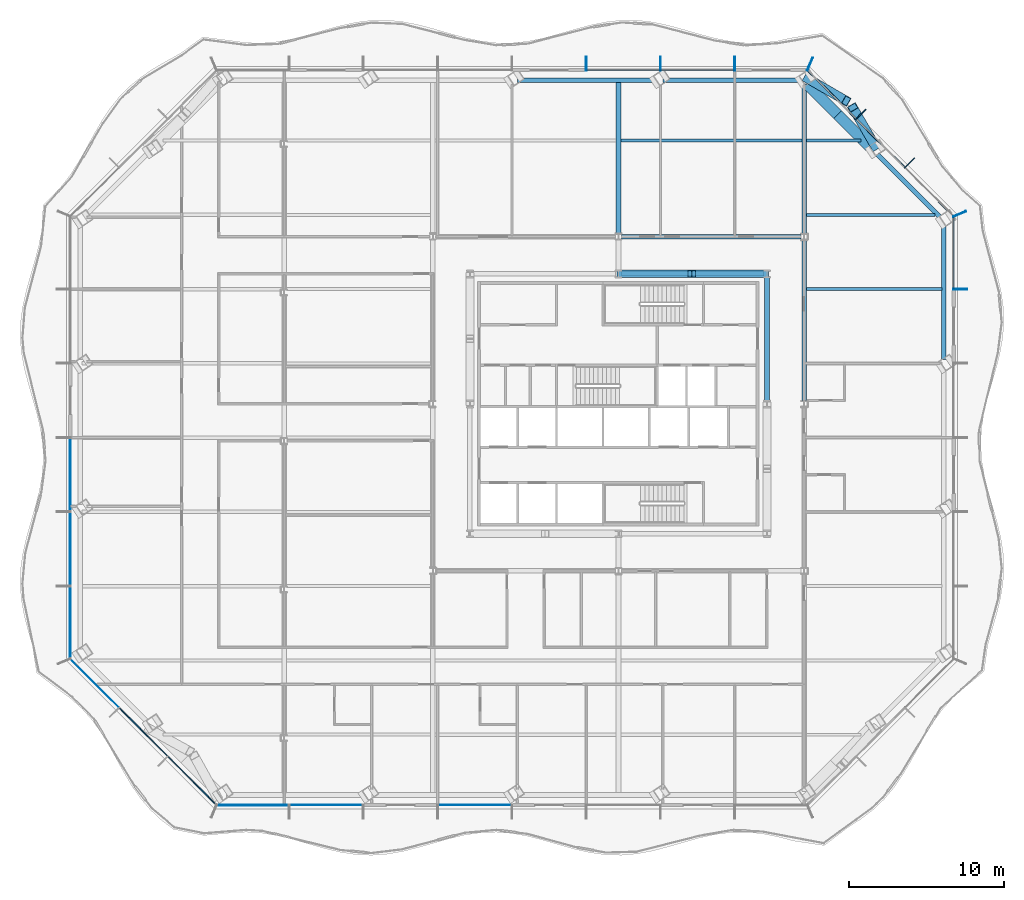
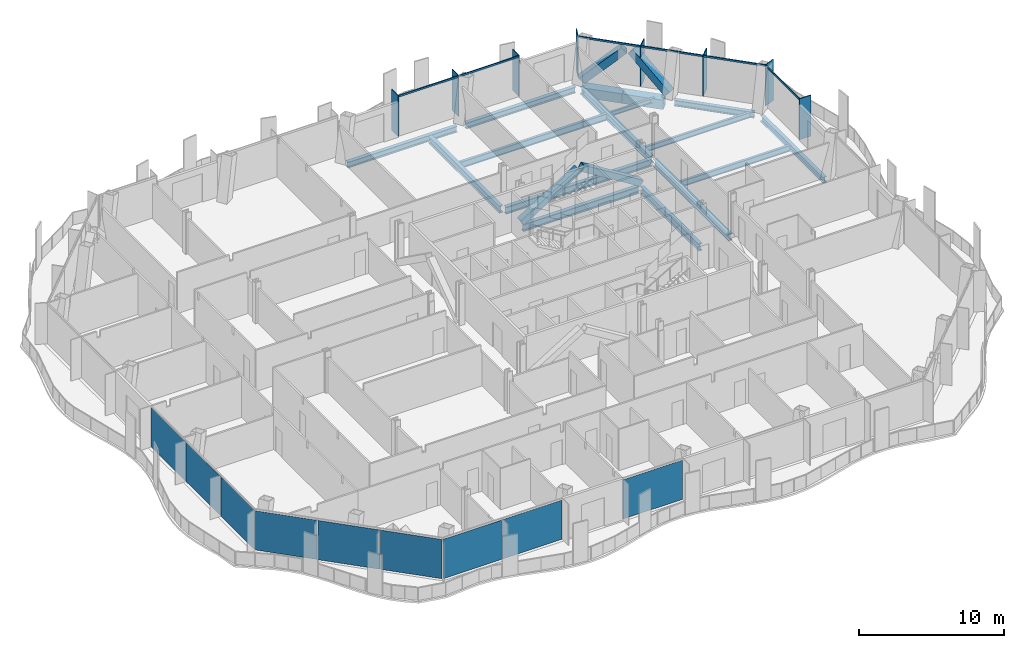
# One storey, part 4 of 19: 18 members, 16 beams, 9 plates, 6 elements without a shape of their own.
"""IFC4 building model written with IfcOpenShell, lengths in metres."""

from ifc_helpers import new_model, si_unit, direction, frame, origin, origin_2d, place, context, subcontext, project, spatial, rectangle, hollow_rectangle, i_section, extrude, material, layer, layer_set, material_profile, profile_set, type_object, element, aggregate, save


model = new_model("IFC4")

# Units and contexts
model_context = context("Model", 3, precision=1e-05, world=origin(), true_north=direction((0.0, 1.0)))
body_context = subcontext(model_context, "Body", "Model", "MODEL_VIEW")
ifc_project = project(units=[si_unit("LENGTHUNIT", "METRE"), si_unit("AREAUNIT", "SQUARE_METRE"), si_unit("VOLUMEUNIT", "CUBIC_METRE"), si_unit("PLANEANGLEUNIT", "RADIAN"), si_unit("MASSUNIT", "GRAM", prefix="KILO")], contexts=[model_context])

# Site, building, storey
site_placement = place(None, origin())
site = spatial("IfcSite", under=ifc_project, at=site_placement, CompositionType="ELEMENT")
building_placement = place(site_placement, origin())
building = spatial("IfcBuilding", under=site, at=building_placement, Name="Cairn Pilgrim Tower", CompositionType="ELEMENT")
storey_placement = place(building_placement, frame((0.0, 0.0, 90.60009765625)))
storey = spatial("IfcBuildingStorey", under=building, at=storey_placement, Name="L21", CompositionType="ELEMENT", Elevation=90.60009765625)

# Members
ifc_material_1 = material(Name="Structural steel S460M", Category="steel")
ifc_material_profile_1 = material_profile(ifc_material_1, hollow_rectangle(XDim=0.5, YDim=0.5, WallThickness=0.030029296875, at=origin_2d()), Name="BOX 500x500x30")
ifc_profile_set_1 = profile_set([ifc_material_profile_1], Name="Structural steel S460M")
member_type_1 = type_object("IfcMemberType", Name="BOX 500x500x30 BRACE", PredefinedType="BRACE", material=ifc_profile_set_1)
member_1_placement = place(storey_placement, frame((16.75634765625, 10.800048828125, 0.099853515625), z_axis=(-0.851002408489, 0.0, 0.525161785305), x_axis=(0.0, -1.0, 0.0)))
element("IfcMember", 1, at=member_1_placement, inside=storey, type_object=member_type_1, Name="KB-3A", PredefinedType="BRACE", context=body_context, shape_type="SweptSolid", body=[
    extrude(hollow_rectangle(XDim=0.5, YDim=0.5, WallThickness=0.030029296875, at=origin_2d()), origin(), (0.0, 0.0, 1.0), 5.526611328125),
])
member_2_placement = place(storey_placement, frame((7.24365234375, 10.800048828125, 0.099853515625), z_axis=(0.851007515624, 0.0, 0.525153509321), x_axis=(0.0, 1.0, 0.0)))
element("IfcMember", 2, at=member_2_placement, inside=storey, type_object=member_type_1, Name="KB-3B", PredefinedType="BRACE", context=body_context, shape_type="SweptSolid", body=[
    extrude(hollow_rectangle(XDim=0.5, YDim=0.5, WallThickness=0.030029296875, at=origin_2d()), origin(), (0.0, 0.0, 1.0), 5.37646484375),
])
ifc_material_profile_2 = material_profile(ifc_material_1, hollow_rectangle(XDim=0.60009765625, YDim=0.60009765625, WallThickness=0.034912109375, at=origin_2d()), Name="BOX 600x600x35")
ifc_profile_set_2 = profile_set([ifc_material_profile_2], Name="Structural steel S460M")
member_type_2 = type_object("IfcMemberType", Name="BOX 600x600x35 BRACE", PredefinedType="BRACE", material=ifc_profile_set_2)
for number, where, z_axis, x_axis, name in (
    (3, (23.81494140625, 19.021240234375, 0.14990234375), (-0.375741407205, 0.647814929069, 0.662687115151), (-0.865026119361, -0.501726830878, 0.0), "XB-NE2-N1-1"),
    (4, (19.3916015625, 23.444580078125, 0.14990234375), (0.647814929069, -0.375741407205, 0.662687115151), (0.501726830878, 0.865026119361, 0.0), "XB-NE2-N1-2"),
):
    element("IfcMember", number, at=place(storey_placement, frame(where, z_axis=z_axis, x_axis=x_axis)), inside=storey, type_object=member_type_2, Name=name, PredefinedType="BRACE", context=body_context, shape_type="SweptSolid", body=[
        extrude(hollow_rectangle(XDim=0.60009765625, YDim=0.60009765625, WallThickness=0.034912109375, at=origin_2d()), origin(), (0.0, 0.0, 1.0), 3.906982421875),
    ])

# Beams
ifc_material_2 = material(Name="Structural steel S355J2", Category="steel")
ifc_material_profile_3 = material_profile(ifc_material_2, hollow_rectangle(XDim=0.699951171875, YDim=0.800048828125, WallThickness=0.0400390625, at=origin_2d()), Name="BOX 700x800x40")
ifc_profile_set_3 = profile_set([ifc_material_profile_3], Name="Structural steel S355J2")
beam_type_1 = type_object("IfcBeamType", Name="BOX 700x800x40 RING GIRDER", PredefinedType="SPANDREL", material=ifc_profile_set_3)
beam_1_placement = place(storey_placement, frame((23.429443359375, 19.03173828125, -0.550048828125), z_axis=(-0.707065020857, 0.70714853905, 0.0), x_axis=(-0.70714853905, -0.707065020857, 0.0)))
element("IfcBeam", 5, at=beam_1_placement, inside=storey, type_object=beam_type_1, Name="RG1-NE2-N1-1", PredefinedType="SPANDREL", context=body_context, shape_type="SweptSolid", body=[
    extrude(hollow_rectangle(XDim=0.699951171875, YDim=0.800048828125, WallThickness=0.0400390625, at=origin_2d()), origin(), (0.0, 0.0, 1.0), 2.923095703125),
])
beam_2_placement = place(storey_placement, frame((21.362548828125, 21.098876953125, -0.550048828125), z_axis=(-0.707106781187, 0.707106781187, 0.0), x_axis=(-0.707106781187, -0.707106781187, 0.0)))
element("IfcBeam", 6, at=beam_2_placement, inside=storey, type_object=beam_type_1, Name="RG1-NE2-N1-2", PredefinedType="SPANDREL", context=body_context, shape_type="SweptSolid", body=[
    extrude(hollow_rectangle(XDim=0.699951171875, YDim=0.800048828125, WallThickness=0.0400390625, at=origin_2d()), origin(), (0.0, 0.0, 1.0), 2.772216796875),
])

# Curtain wall, member
ifc_material_3 = material(Name="Aluminium alloy 6063-T6 bronze anodised with Bronze tinted laminated low-E glass 8+16+8.8", Category="aluminium")
curtain_wall_type_1 = type_object("IfcCurtainWallType", Name="TOWER STICK CURTAIN WALL EW", PredefinedType="NOTDEFINED", material=ifc_material_3)
curtain_wall_1_placement = place(storey_placement, origin())
curtain_wall_1 = element("IfcCurtainWall", 7, at=curtain_wall_1_placement, inside=storey, type_object=curtain_wall_type_1, Name="Tower Stick Curtain Wall Ew E", PredefinedType="NOTDEFINED")
ifc_material_4 = material(Name="Aluminium alloy 6063-T6 bronze anodised", Category="aluminium")
ifc_material_profile_4 = material_profile(ifc_material_4, rectangle(XDim=0.89990234375, YDim=0.06005859375, at=origin_2d()), Name="FIN MULLION 60x900 BRONZE")
ifc_profile_set_4 = profile_set([ifc_material_profile_4], Name="Aluminium alloy 6063-T6 bronze anodised")
member_type_3 = type_object("IfcMemberType", Name="FIN MULLION 60x900 BRONZE", PredefinedType="MULLION", material=ifc_profile_set_4)
member_3_placement = place(storey_placement, frame((29.29052734375, 9.813720703125, 0.0), z_axis=(0.0, 0.0, 1.0), x_axis=(1.0, 0.0, 0.0)))
member_3 = element("IfcMember", 8, at=member_3_placement, type_object=member_type_3, Name="Fin mullion E6", PredefinedType="MULLION", context=body_context, shape_type="SweptSolid", body=[
    extrude(rectangle(XDim=0.89990234375, YDim=0.06005859375, at=origin_2d()), origin(), (0.0, 0.0, 1.0), 3.449951171875),
])

# Curtain wall, members
curtain_wall_type_2 = type_object("IfcCurtainWallType", Name="CHAMFER CORNER CURTAIN WALL", PredefinedType="NOTDEFINED", material=ifc_material_3)
curtain_wall_2_placement = place(storey_placement, origin())
curtain_wall_2 = element("IfcCurtainWall", 9, at=curtain_wall_2_placement, inside=storey, type_object=curtain_wall_type_2, Name="Chamfer Corner Curtain Wall NE", PredefinedType="NOTDEFINED")
member_4_placement = place(storey_placement, frame((29.258544921875, 14.6708984375, 0.0), z_axis=(0.0, 0.0, 1.0), x_axis=(0.923879532511, 0.382683432365, 0.0)))
member_4 = element("IfcMember", 10, at=member_4_placement, type_object=member_type_3, Name="Fin mullion NE1", PredefinedType="MULLION", context=body_context, shape_type="SweptSolid", body=[
    extrude(rectangle(XDim=0.89990234375, YDim=0.06005859375, at=origin_2d()), origin(), (0.0, 0.0, 1.0), 3.449951171875),
])
member_5_placement = place(storey_placement, frame((26.016357421875, 17.958251953125, 0.0), z_axis=(0.0, 0.0, 1.0), x_axis=(0.707106781187, 0.707106781187, 0.0)))
member_5 = element("IfcMember", 11, at=member_5_placement, type_object=member_type_3, Name="Fin mullion NE2", PredefinedType="MULLION", context=body_context, shape_type="SweptSolid", body=[
    extrude(rectangle(XDim=0.89990234375, YDim=0.06005859375, at=origin_2d()), origin(), (0.0, 0.0, 1.0), 3.449951171875),
])
member_6_placement = place(storey_placement, frame((22.864990234375, 21.109375, 0.0), z_axis=(0.0, 0.0, 1.0), x_axis=(0.707106781187, 0.707106781187, 0.0)))
member_6 = element("IfcMember", 12, at=member_6_placement, type_object=member_type_3, Name="Fin mullion NE3", PredefinedType="MULLION", context=body_context, shape_type="SweptSolid", body=[
    extrude(rectangle(XDim=0.89990234375, YDim=0.06005859375, at=origin_2d()), origin(), (0.0, 0.0, 1.0), 3.449951171875),
])

curtain_wall_type_3 = type_object("IfcCurtainWallType", Name="TOWER STICK CURTAIN WALL NS", PredefinedType="NOTDEFINED", material=ifc_material_3)
curtain_wall_3_placement = place(storey_placement, origin())
curtain_wall_3 = element("IfcCurtainWall", 13, at=curtain_wall_3_placement, inside=storey, type_object=curtain_wall_type_3, Name="Tower Stick Curtain Wall Ns N", PredefinedType="NOTDEFINED")
member_7_placement = place(storey_placement, frame((19.57763671875, 24.351806640625, 0.0), z_axis=(0.0, 0.0, 1.0), x_axis=(0.382683432365, 0.923879532511, 0.0)))
member_7 = element("IfcMember", 14, at=member_7_placement, type_object=member_type_3, Name="Fin mullion N1", PredefinedType="MULLION", context=body_context, shape_type="SweptSolid", body=[
    extrude(rectangle(XDim=0.89990234375, YDim=0.06005859375, at=origin_2d()), origin(), (0.0, 0.0, 1.0), 3.449951171875),
])
member_8_placement = place(storey_placement, frame((14.720458984375, 24.383544921875, 0.0), z_axis=(0.0, 0.0, 1.0), x_axis=(0.0, 1.0, 0.0)))
member_8 = element("IfcMember", 15, at=member_8_placement, type_object=member_type_3, Name="Fin mullion N2", PredefinedType="MULLION", context=body_context, shape_type="SweptSolid", body=[
    extrude(rectangle(XDim=0.89990234375, YDim=0.06005859375, at=origin_2d()), origin(), (0.0, 0.0, 1.0), 3.449951171875),
])
member_9_placement = place(storey_placement, frame((9.92041015625, 24.383544921875, 0.0), z_axis=(0.0, 0.0, 1.0), x_axis=(0.0, 1.0, 0.0)))
member_9 = element("IfcMember", 16, at=member_9_placement, type_object=member_type_3, Name="Fin mullion N3", PredefinedType="MULLION", context=body_context, shape_type="SweptSolid", body=[
    extrude(rectangle(XDim=0.89990234375, YDim=0.06005859375, at=origin_2d()), origin(), (0.0, 0.0, 1.0), 3.449951171875),
])
member_10_placement = place(storey_placement, frame((5.12060546875, 24.383544921875, 0.0), z_axis=(0.0, 0.0, 1.0), x_axis=(0.0, 1.0, 0.0)))
member_10 = element("IfcMember", 17, at=member_10_placement, type_object=member_type_3, Name="Fin mullion N4", PredefinedType="MULLION", context=body_context, shape_type="SweptSolid", body=[
    extrude(rectangle(XDim=0.89990234375, YDim=0.06005859375, at=origin_2d()), origin(), (0.0, 0.0, 1.0), 3.449951171875),
])

# Beams
ifc_material_profile_5 = material_profile(ifc_material_2, i_section(OverallWidth=0.300048828125, OverallDepth=0.5, WebThickness=0.014404296875, FlangeThickness=0.028076171875, FilletRadius=0.027099609375, at=origin_2d()), Name="HEB 500")
ifc_profile_set_5 = profile_set([ifc_material_profile_5], Name="Structural steel S355J2")
beam_type_2 = type_object("IfcBeamType", Name="HEB 500 RING GIRDER", PredefinedType="SPANDREL", material=ifc_profile_set_5)
beam_3_placement = place(storey_placement, frame((28.220458984375, 5.24951171875, -0.400146484375), z_axis=(0.0, 1.0, 0.0), x_axis=(-1.0, 0.0, 0.0)))
element("IfcBeam", 18, at=beam_3_placement, inside=storey, type_object=beam_type_2, Name="RG1-E3-NE1", PredefinedType="SPANDREL", context=body_context, shape_type="SweptSolid", body=[
    extrude(i_section(OverallWidth=0.300048828125, OverallDepth=0.5, WebThickness=0.014404296875, FlangeThickness=0.028076171875, FilletRadius=0.027099609375, at=origin_2d()), origin(), (0.0, 0.0, 1.0), 8.63134765625),
])
beam_4_placement = place(storey_placement, frame((27.9658203125, 14.495361328125, -0.400146484375), z_axis=(-0.707085347538, 0.707128214185, 0.0), x_axis=(-0.707128214185, -0.707085347538, 0.0)))
element("IfcBeam", 19, at=beam_4_placement, inside=storey, type_object=beam_type_2, Name="RG1-NE1-NE2", PredefinedType="SPANDREL", context=body_context, shape_type="SweptSolid", body=[
    extrude(i_section(OverallWidth=0.300048828125, OverallDepth=0.5, WebThickness=0.014404296875, FlangeThickness=0.028076171875, FilletRadius=0.027099609375, at=origin_2d()), origin(), (0.0, 0.0, 1.0), 5.6953125),
])
for number, where, z_axis, x_axis, name in (
    (20, (18.78759765625, 23.313720703125, -0.400146484375), (-1.0, 0.0, 0.0), (0.0, -1.0, 0.0), "RG1-N1-N2"),
    (21, (9.3740234375, 23.313720703125, -0.400146484375), (-1.0, 0.0, 0.0), (0.0, -1.0, 0.0), "RG1-N2-N3"),
):
    element("IfcBeam", number, at=place(storey_placement, frame(where, z_axis=z_axis, x_axis=x_axis)), inside=storey, type_object=beam_type_2, Name=name, PredefinedType="SPANDREL", context=body_context, shape_type="SweptSolid", body=[
        extrude(i_section(OverallWidth=0.300048828125, OverallDepth=0.5, WebThickness=0.014404296875, FlangeThickness=0.028076171875, FilletRadius=0.027099609375, at=origin_2d()), origin(), (0.0, 0.0, 1.0), 8.693603515625),
    ])
ifc_material_profile_6 = material_profile(ifc_material_2, i_section(OverallWidth=0.300048828125, OverallDepth=0.60009765625, WebThickness=0.015380859375, FlangeThickness=0.030029296875, FilletRadius=0.027099609375, at=origin_2d()), Name="HEB 600")
ifc_profile_set_6 = profile_set([ifc_material_profile_6], Name="Structural steel S355J2")
beam_type_3 = type_object("IfcBeamType", Name="HEB 600 CORE BEAM", PredefinedType="BEAM", material=ifc_profile_set_6)
beam_5_placement = place(storey_placement, frame((16.800048828125, 2.5966796875, -0.4501953125), z_axis=(0.0, 1.0, 0.0), x_axis=(-1.0, 0.0, 0.0)))
element("IfcBeam", 22, at=beam_5_placement, inside=storey, type_object=beam_type_3, Name="CB-4", PredefinedType="BEAM", context=body_context, shape_type="SweptSolid", body=[
    extrude(i_section(OverallWidth=0.300048828125, OverallDepth=0.60009765625, WebThickness=0.015380859375, FlangeThickness=0.030029296875, FilletRadius=0.027099609375, at=origin_2d()), origin(), (0.0, 0.0, 1.0), 8.0068359375),
])
beam_6_placement = place(storey_placement, frame((16.603271484375, 10.800048828125, -0.4501953125), z_axis=(-1.0, 0.0, 0.0), x_axis=(0.0, -1.0, 0.0)))
element("IfcBeam", 23, at=beam_6_placement, inside=storey, type_object=beam_type_3, Name="CB-5", PredefinedType="BEAM", context=body_context, shape_type="SweptSolid", body=[
    extrude(i_section(OverallWidth=0.300048828125, OverallDepth=0.60009765625, WebThickness=0.015380859375, FlangeThickness=0.030029296875, FilletRadius=0.027099609375, at=origin_2d()), origin(), (0.0, 0.0, 1.0), 9.20654296875),
])
ifc_material_profile_7 = material_profile(ifc_material_2, i_section(OverallWidth=0.300048828125, OverallDepth=0.60009765625, WebThickness=0.015380859375, FlangeThickness=0.030029296875, FilletRadius=0.027099609375, at=origin_2d()), Name="HEB 600")
ifc_profile_set_7 = profile_set([ifc_material_profile_7], Name="Structural steel S355J2")
beam_type_4 = type_object("IfcBeamType", Name="HEB 600 GIRDER", PredefinedType="BEAM", material=ifc_profile_set_7)
beam_7_placement = place(storey_placement, frame((7.199951171875, 13.404541015625, -0.4501953125), z_axis=(0.0, 1.0, 0.0), x_axis=(-1.0, 0.0, 0.0)))
element("IfcBeam", 24, at=beam_7_placement, inside=storey, type_object=beam_type_4, Name="PG3-2", PredefinedType="BEAM", context=body_context, shape_type="SweptSolid", body=[
    extrude(i_section(OverallWidth=0.300048828125, OverallDepth=0.60009765625, WebThickness=0.015380859375, FlangeThickness=0.030029296875, FilletRadius=0.027099609375, at=origin_2d()), origin(), (0.0, 0.0, 1.0), 9.7890625),
])
beam_8_placement = place(storey_placement, frame((19.199951171875, 2.6044921875, -0.4501953125), z_axis=(0.0, 1.0, 0.0), x_axis=(-1.0, 0.0, 0.0)))
element("IfcBeam", 25, at=beam_8_placement, inside=storey, type_object=beam_type_4, Name="PG4-3", PredefinedType="BEAM", context=body_context, shape_type="SweptSolid", body=[
    extrude(i_section(OverallWidth=0.300048828125, OverallDepth=0.60009765625, WebThickness=0.015380859375, FlangeThickness=0.030029296875, FilletRadius=0.027099609375, at=origin_2d()), origin(), (0.0, 0.0, 1.0), 10.39111328125),
])
beam_9_placement = place(storey_placement, frame((19.199951171875, 13.404541015625, -0.4501953125), z_axis=(0.0, 1.0, 0.0), x_axis=(-1.0, 0.0, 0.0)))
element("IfcBeam", 26, at=beam_9_placement, inside=storey, type_object=beam_type_4, Name="PG4-4", PredefinedType="BEAM", context=body_context, shape_type="SweptSolid", body=[
    extrude(i_section(OverallWidth=0.300048828125, OverallDepth=0.60009765625, WebThickness=0.015380859375, FlangeThickness=0.030029296875, FilletRadius=0.027099609375, at=origin_2d()), origin(), (0.0, 0.0, 1.0), 9.674560546875),
])
ifc_material_profile_8 = material_profile(ifc_material_2, i_section(OverallWidth=0.300048828125, OverallDepth=0.60009765625, WebThickness=0.015380859375, FlangeThickness=0.030029296875, FilletRadius=0.027099609375, at=origin_2d()), Name="HEB 600")
ifc_profile_set_8 = profile_set([ifc_material_profile_8], Name="Structural steel S355J2")
beam_type_5 = type_object("IfcBeamType", Name="HEB 600 INNER GIRDER", PredefinedType="BEAM", material=ifc_profile_set_8)
beam_10_placement = place(storey_placement, frame((7.404541015625, 13.199951171875, -0.4501953125), z_axis=(1.0, 0.0, 0.0), x_axis=(0.0, 1.0, 0.0)))
element("IfcBeam", 27, at=beam_10_placement, inside=storey, type_object=beam_type_5, Name="IG2-2", PredefinedType="BEAM", context=body_context, shape_type="SweptSolid", body=[
    extrude(i_section(OverallWidth=0.300048828125, OverallDepth=0.60009765625, WebThickness=0.015380859375, FlangeThickness=0.030029296875, FilletRadius=0.027099609375, at=origin_2d()), origin(), (0.0, 0.0, 1.0), 11.591064453125),
])
ifc_material_profile_9 = material_profile(ifc_material_2, i_section(OverallWidth=0.169921875, OverallDepth=0.360107421875, WebThickness=0.008056640625, FlangeThickness=0.0126953125, FilletRadius=0.01806640625, at=origin_2d()), Name="IPE 360")
ifc_profile_set_9 = profile_set([ifc_material_profile_9], Name="Structural steel S355J2")
beam_type_6 = type_object("IfcBeamType", Name="IPE 360 SECONDARY BEAM", PredefinedType="JOIST", material=ifc_profile_set_9)
beam_11_placement = place(storey_placement, frame((19.35009765625, 19.413818359375, -0.330078125), z_axis=(1.0, 0.0, 0.0), x_axis=(0.0, 1.0, 0.0)))
element("IfcBeam", 28, at=beam_11_placement, inside=storey, type_object=beam_type_6, Name="SB9-5", PredefinedType="JOIST", context=body_context, shape_type="SweptSolid", body=[
    extrude(i_section(OverallWidth=0.169921875, OverallDepth=0.360107421875, WebThickness=0.008056640625, FlangeThickness=0.0126953125, FilletRadius=0.01806640625, at=origin_2d()), origin(), (0.0, 0.0, 1.0), 3.515380859375),
])
ifc_material_profile_10 = material_profile(ifc_material_2, i_section(OverallWidth=0.18994140625, OverallDepth=0.449951171875, WebThickness=0.009521484375, FlangeThickness=0.0146484375, FilletRadius=0.02099609375, at=origin_2d()), Name="IPE 450")
ifc_profile_set_10 = profile_set([ifc_material_profile_10], Name="Structural steel S355J2")
beam_type_7 = type_object("IfcBeamType", Name="IPE 450 SECONDARY BEAM", PredefinedType="JOIST", material=ifc_profile_set_10)
beam_12_placement = place(storey_placement, frame((19.35009765625, 14.61376953125, -0.375), z_axis=(1.0, 0.0, 0.0), x_axis=(0.0, 1.0, 0.0)))
element("IfcBeam", 29, at=beam_12_placement, inside=storey, type_object=beam_type_7, Name="SB8-3", PredefinedType="JOIST", context=body_context, shape_type="SweptSolid", body=[
    extrude(i_section(OverallWidth=0.18994140625, OverallDepth=0.449951171875, WebThickness=0.009521484375, FlangeThickness=0.0146484375, FilletRadius=0.02099609375, at=origin_2d()), origin(), (0.0, 0.0, 1.0), 8.3154296875),
])
ifc_material_profile_11 = material_profile(ifc_material_2, i_section(OverallWidth=0.199951171875, OverallDepth=0.5, WebThickness=0.01025390625, FlangeThickness=0.01611328125, FilletRadius=0.02099609375, at=origin_2d()), Name="IPE 500")
ifc_profile_set_11 = profile_set([ifc_material_profile_11], Name="Structural steel S355J2")
beam_type_8 = type_object("IfcBeamType", Name="IPE 500 SECONDARY BEAM", PredefinedType="JOIST", material=ifc_profile_set_11)
beam_13_placement = place(storey_placement, frame((19.35009765625, 9.813720703125, -0.400146484375), z_axis=(1.0, 0.0, 0.0), x_axis=(0.0, 1.0, 0.0)))
element("IfcBeam", 30, at=beam_13_placement, inside=storey, type_object=beam_type_8, Name="SB7-3", PredefinedType="JOIST", context=body_context, shape_type="SweptSolid", body=[
    extrude(i_section(OverallWidth=0.199951171875, OverallDepth=0.5, WebThickness=0.01025390625, FlangeThickness=0.01611328125, FilletRadius=0.02099609375, at=origin_2d()), origin(), (0.0, 0.0, 1.0), 8.75048828125),
])
ifc_material_profile_12 = material_profile(ifc_material_2, i_section(OverallWidth=0.2099609375, OverallDepth=0.550048828125, WebThickness=0.010986328125, FlangeThickness=0.01708984375, FilletRadius=0.02392578125, at=origin_2d()), Name="IPE 550")
ifc_profile_set_12 = profile_set([ifc_material_profile_12], Name="Structural steel S355J2")
beam_type_9 = type_object("IfcBeamType", Name="IPE 550 SECONDARY BEAM", PredefinedType="JOIST", material=ifc_profile_set_12)
beam_14_placement = place(storey_placement, frame((7.35009765625, 19.413818359375, -0.425048828125), z_axis=(1.0, 0.0, 0.0), x_axis=(0.0, 1.0, 0.0)))
element("IfcBeam", 31, at=beam_14_placement, inside=storey, type_object=beam_type_9, Name="SB9-4", PredefinedType="JOIST", context=body_context, shape_type="SweptSolid", body=[
    extrude(i_section(OverallWidth=0.2099609375, OverallDepth=0.550048828125, WebThickness=0.010986328125, FlangeThickness=0.01708984375, FilletRadius=0.02392578125, at=origin_2d()), origin(), (0.0, 0.0, 1.0), 11.699951171875),
])

# Member
ifc_material_profile_13 = material_profile(ifc_material_4, rectangle(XDim=0.080078125, YDim=0.14990234375, at=origin_2d()), Name="TRANSOM 80x150 BRONZE")
ifc_profile_set_13 = profile_set([ifc_material_profile_13], Name="Aluminium alloy 6063-T6 bronze anodised")
member_type_4 = type_object("IfcMemberType", Name="TRANSOM 80x150 BRONZE", PredefinedType="USERDEFINED", material=ifc_profile_set_13)
member_11_placement = place(storey_placement, frame((28.87060546875, 9.84375, 3.375), z_axis=(0.0, 1.0, 0.0), x_axis=(-1.0, 0.0, 0.0)))
member_11 = element("IfcMember", 32, at=member_11_placement, type_object=member_type_4, Name="Transom E6", ObjectType="TRANSOM", PredefinedType="USERDEFINED", context=body_context, shape_type="SweptSolid", body=[
    extrude(rectangle(XDim=0.080078125, YDim=0.14990234375, at=origin_2d()), origin(), (0.0, 0.0, 1.0), 4.62646484375),
])

aggregate(curtain_wall_1, [member_3, member_11])

member_12_placement = place(storey_placement, frame((28.84228515625, 14.538330078125, 3.375), z_axis=(-0.707106781187, 0.707106781187, 0.0), x_axis=(-0.707106781187, -0.707106781187, 0.0)))
member_12 = element("IfcMember", 33, at=member_12_placement, type_object=member_type_4, Name="Transom NE1", ObjectType="TRANSOM", PredefinedType="USERDEFINED", context=body_context, shape_type="SweptSolid", body=[
    extrude(rectangle(XDim=0.080078125, YDim=0.14990234375, at=origin_2d()), origin(), (0.0, 0.0, 1.0), 4.38671875),
])

member_13_placement = place(storey_placement, frame((25.697998046875, 17.6826171875, 3.375), z_axis=(-0.707106781187, 0.707106781187, 0.0), x_axis=(-0.707106781187, -0.707106781187, 0.0)))
member_13 = element("IfcMember", 34, at=member_13_placement, type_object=member_type_4, Name="Transom NE2", ObjectType="TRANSOM", PredefinedType="USERDEFINED", context=body_context, shape_type="SweptSolid", body=[
    extrude(rectangle(XDim=0.080078125, YDim=0.14990234375, at=origin_2d()), origin(), (0.0, 0.0, 1.0), 4.396240234375),
])

member_14_placement = place(storey_placement, frame((22.546875, 20.833740234375, 3.375), z_axis=(-0.707106781187, 0.707106781187, 0.0), x_axis=(-0.707106781187, -0.707106781187, 0.0)))
member_14 = element("IfcMember", 35, at=member_14_placement, type_object=member_type_4, Name="Transom NE3", ObjectType="TRANSOM", PredefinedType="USERDEFINED", context=body_context, shape_type="SweptSolid", body=[
    extrude(rectangle(XDim=0.080078125, YDim=0.14990234375, at=origin_2d()), origin(), (0.0, 0.0, 1.0), 4.38623046875),
])

aggregate(curtain_wall_2, [member_4, member_5, member_6, member_12, member_13, member_14])

member_15_placement = place(storey_placement, frame((14.6904296875, 23.963623046875, 3.375), z_axis=(-1.0, 0.0, 0.0), x_axis=(0.0, -1.0, 0.0)))
member_15 = element("IfcMember", 36, at=member_15_placement, type_object=member_type_4, Name="Transom N2", ObjectType="TRANSOM", PredefinedType="USERDEFINED", context=body_context, shape_type="SweptSolid", body=[
    extrude(rectangle(XDim=0.080078125, YDim=0.14990234375, at=origin_2d()), origin(), (0.0, 0.0, 1.0), 4.739990234375),
])

member_16_placement = place(storey_placement, frame((9.890380859375, 23.963623046875, 3.375), z_axis=(-1.0, 0.0, 0.0), x_axis=(0.0, -1.0, 0.0)))
member_16 = element("IfcMember", 37, at=member_16_placement, type_object=member_type_4, Name="Transom N3", ObjectType="TRANSOM", PredefinedType="USERDEFINED", context=body_context, shape_type="SweptSolid", body=[
    extrude(rectangle(XDim=0.080078125, YDim=0.14990234375, at=origin_2d()), origin(), (0.0, 0.0, 1.0), 4.739990234375),
])

aggregate(curtain_wall_3, [member_7, member_8, member_9, member_10, member_15, member_16])

# Curtain wall, plates
curtain_wall_4_placement = place(storey_placement, origin())
curtain_wall_4 = element("IfcCurtainWall", 38, at=curtain_wall_4_placement, inside=storey, type_object=curtain_wall_type_2, Name="Chamfer Corner Curtain Wall SW", PredefinedType="NOTDEFINED")
ifc_material_5 = material(Name="Bronze anodised aluminium spandrel panel with mineral wool insulation", Category="aluminium")
ifc_layer_1 = layer(ifc_material_5, 0.06005859375)
ifc_layer_set_1 = layer_set([ifc_layer_1], Name="SPANDREL PANEL 4386x3300")
plate_type_1 = type_object("IfcPlateType", Name="SPANDREL PANEL 4386x3300", PredefinedType="CURTAIN_PANEL", material=ifc_layer_set_1)
plate_1_placement = place(storey_placement, frame((-20.35498046875, -21.957275390625, 0.0), z_axis=(0.0, 0.0, 1.0), x_axis=(0.707106781187, -0.707106781187, 0.0)))
plate_1 = element("IfcPlate", 39, at=plate_1_placement, type_object=plate_type_1, Name="Spandrel Panel SW3-1", PredefinedType="CURTAIN_PANEL", context=body_context, shape_type="SweptSolid", body=[
    extrude(rectangle(XDim=4.386474609375, YDim=0.06005859375, at=origin_2d()), origin(), (0.0, 0.0, 1.0), 3.300048828125),
])
ifc_layer_2 = layer(ifc_material_5, 0.06005859375)
ifc_layer_set_2 = layer_set([ifc_layer_2], Name="SPANDREL PANEL 4396x3300")
plate_type_2 = type_object("IfcPlateType", Name="SPANDREL PANEL 4396x3300", PredefinedType="CURTAIN_PANEL", material=ifc_layer_set_2)
plate_2_placement = place(storey_placement, frame((-23.502685546875, -18.8095703125, 0.0), z_axis=(0.0, 0.0, 1.0), x_axis=(0.707106781187, -0.707106781187, 0.0)))
plate_2 = element("IfcPlate", 40, at=plate_2_placement, type_object=plate_type_2, Name="Spandrel Panel SW2-1", PredefinedType="CURTAIN_PANEL", context=body_context, shape_type="SweptSolid", body=[
    extrude(rectangle(XDim=4.396484375, YDim=0.06005859375, at=origin_2d()), origin(), (0.0, 0.0, 1.0), 3.300048828125),
])

# Curtain wall, plate
curtain_wall_5_placement = place(storey_placement, origin())
curtain_wall_5 = element("IfcCurtainWall", 41, at=curtain_wall_5_placement, inside=storey, type_object=curtain_wall_type_3, Name="Tower Stick Curtain Wall Ns S", PredefinedType="NOTDEFINED")
ifc_layer_3 = layer(ifc_material_5, 0.06005859375)
ifc_layer_set_3 = layer_set([ifc_layer_3], Name="SPANDREL PANEL 4626x3300")
plate_type_3 = type_object("IfcPlateType", Name="SPANDREL PANEL 4626x3300", PredefinedType="CURTAIN_PANEL", material=ifc_layer_set_3)
plate_3_placement = place(storey_placement, frame((-16.4228515625, -23.536376953125, 0.0), z_axis=(0.0, 0.0, 1.0), x_axis=(1.0, 0.0, 0.0)))
plate_3 = element("IfcPlate", 42, at=plate_3_placement, type_object=plate_type_3, Name="Spandrel Panel S1-1", PredefinedType="CURTAIN_PANEL", context=body_context, shape_type="SweptSolid", body=[
    extrude(rectangle(XDim=4.62646484375, YDim=0.06005859375, at=origin_2d()), origin(), (0.0, 0.0, 1.0), 3.300048828125),
])

# Plate
ifc_material_6 = material(Name="Bronze tinted laminated low-E glass 8+16+8.8", Category="glass")
ifc_layer_4 = layer(ifc_material_6, 0.033935546875)
ifc_layer_set_4 = layer_set([ifc_layer_4], Name="VISION GLAZING 4386x3300")
plate_type_4 = type_object("IfcPlateType", Name="VISION GLAZING 4386x3300", PredefinedType="CURTAIN_PANEL", material=ifc_layer_set_4)
plate_4_placement = place(storey_placement, frame((-26.650390625, -15.661865234375, 0.0), z_axis=(0.0, 0.0, 1.0), x_axis=(0.707106781187, -0.707106781187, 0.0)))
plate_4 = element("IfcPlate", 43, at=plate_4_placement, type_object=plate_type_4, Name="Vision Glazing SW1-1", PredefinedType="CURTAIN_PANEL", context=body_context, shape_type="SweptSolid", body=[
    extrude(rectangle(XDim=4.386474609375, YDim=0.033935546875, at=origin_2d()), origin(), (0.0, 0.0, 1.0), 3.300048828125),
])

aggregate(curtain_wall_4, [plate_4, plate_2, plate_1])

# Curtain wall, plate
curtain_wall_6_placement = place(storey_placement, origin())
curtain_wall_6 = element("IfcCurtainWall", 44, at=curtain_wall_6_placement, inside=storey, type_object=curtain_wall_type_1, Name="Tower Stick Curtain Wall Ew W", PredefinedType="NOTDEFINED")
ifc_layer_5 = layer(ifc_material_6, 0.033935546875)
ifc_layer_set_5 = layer_set([ifc_layer_5], Name="VISION GLAZING 4626x3300")
plate_type_5 = type_object("IfcPlateType", Name="VISION GLAZING 4626x3300", PredefinedType="CURTAIN_PANEL", material=ifc_layer_set_5)
plate_5_placement = place(storey_placement, frame((-28.2294921875, -11.7294921875, 0.0), z_axis=(0.0, 0.0, 1.0), x_axis=(0.0, -1.0, 0.0)))
plate_5 = element("IfcPlate", 45, at=plate_5_placement, type_object=plate_type_5, Name="Vision Glazing W6-1", PredefinedType="CURTAIN_PANEL", context=body_context, shape_type="SweptSolid", body=[
    extrude(rectangle(XDim=4.62646484375, YDim=0.033935546875, at=origin_2d()), origin(), (0.0, 0.0, 1.0), 3.300048828125),
])

# Plate
ifc_layer_6 = layer(ifc_material_6, 0.033935546875)
ifc_layer_set_6 = layer_set([ifc_layer_6], Name="VISION GLAZING 4740x3300")
plate_type_6 = type_object("IfcPlateType", Name="VISION GLAZING 4740x3300", PredefinedType="CURTAIN_PANEL", material=ifc_layer_set_6)
plate_6_placement = place(storey_placement, frame((-11.679443359375, -23.536376953125, 0.0), z_axis=(0.0, 0.0, 1.0), x_axis=(1.0, 0.0, 0.0)))
plate_6 = element("IfcPlate", 46, at=plate_6_placement, type_object=plate_type_6, Name="Vision Glazing S2-1", PredefinedType="CURTAIN_PANEL", context=body_context, shape_type="SweptSolid", body=[
    extrude(rectangle(XDim=4.739990234375, YDim=0.033935546875, at=origin_2d()), origin(), (0.0, 0.0, 1.0), 3.300048828125),
])

plate_7_placement = place(storey_placement, frame((-2.07958984375, -23.536376953125, 0.0), z_axis=(0.0, 0.0, 1.0), x_axis=(1.0, 0.0, 0.0)))
plate_7 = element("IfcPlate", 47, at=plate_7_placement, type_object=plate_type_6, Name="Vision Glazing S4-1", PredefinedType="CURTAIN_PANEL", context=body_context, shape_type="SweptSolid", body=[
    extrude(rectangle(XDim=4.739990234375, YDim=0.033935546875, at=origin_2d()), origin(), (0.0, 0.0, 1.0), 3.300048828125),
])

aggregate(curtain_wall_5, [plate_3, plate_6, plate_7])

plate_8_placement = place(storey_placement, frame((-28.2294921875, -2.186279296875, 0.0), z_axis=(0.0, 0.0, 1.0), x_axis=(0.0, -1.0, 0.0)))
plate_8 = element("IfcPlate", 48, at=plate_8_placement, type_object=plate_type_6, Name="Vision Glazing W4-1", PredefinedType="CURTAIN_PANEL", context=body_context, shape_type="SweptSolid", body=[
    extrude(rectangle(XDim=4.739990234375, YDim=0.033935546875, at=origin_2d()), origin(), (0.0, 0.0, 1.0), 3.300048828125),
])

plate_9_placement = place(storey_placement, frame((-28.2294921875, -6.986328125, 0.0), z_axis=(0.0, 0.0, 1.0), x_axis=(0.0, -1.0, 0.0)))
plate_9 = element("IfcPlate", 49, at=plate_9_placement, type_object=plate_type_6, Name="Vision Glazing W5-1", PredefinedType="CURTAIN_PANEL", context=body_context, shape_type="SweptSolid", body=[
    extrude(rectangle(XDim=4.739990234375, YDim=0.033935546875, at=origin_2d()), origin(), (0.0, 0.0, 1.0), 3.300048828125),
])

aggregate(curtain_wall_6, [plate_8, plate_9, plate_5])

save(model, "model.ifc")
